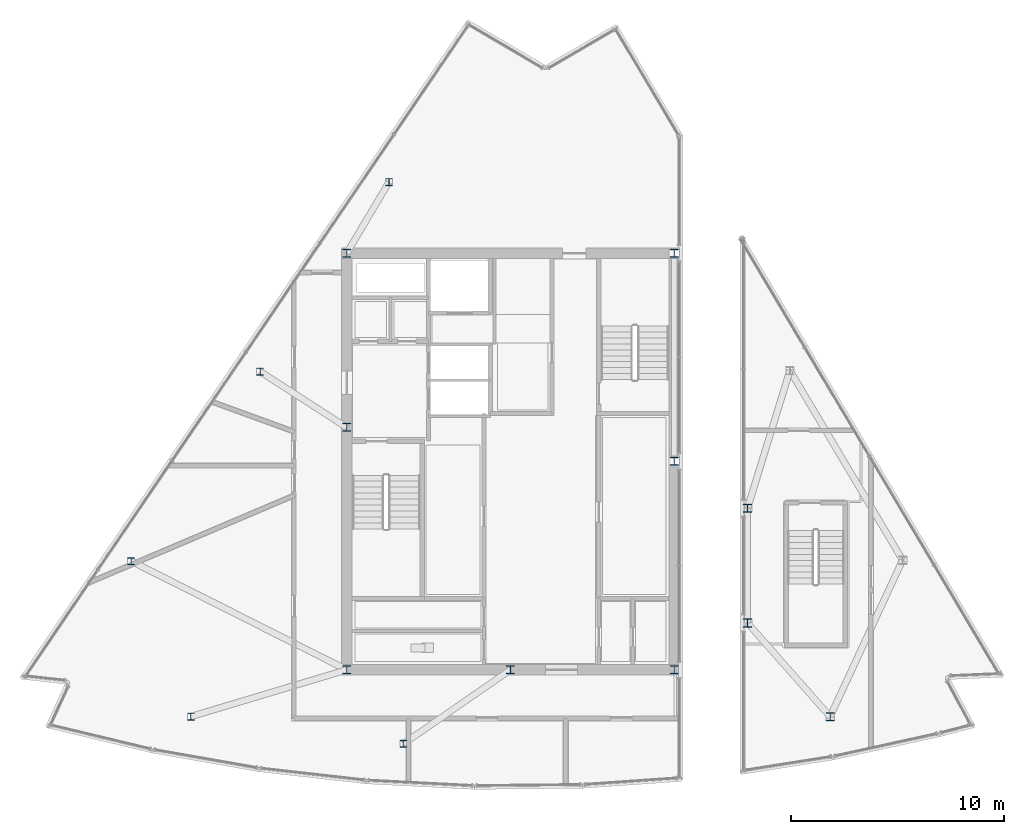
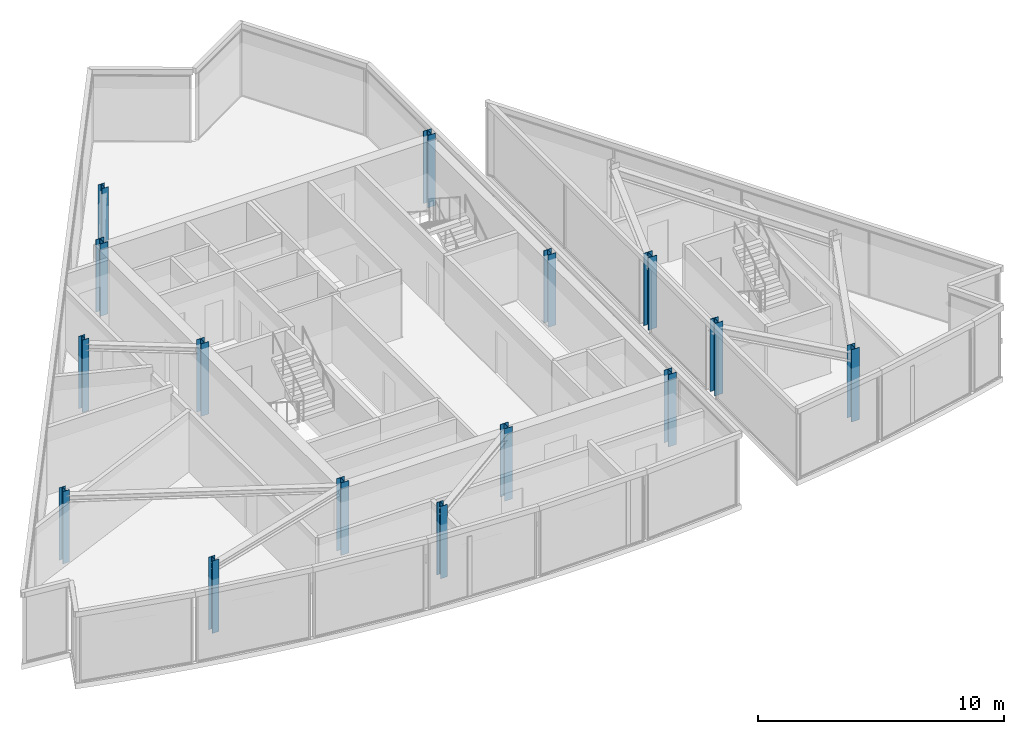
# One storey, part 1 of 15: 15 columns.
"""IFC4 building model written with IfcOpenShell, lengths in metres."""

from ifc_helpers import new_model, si_unit, direction, frame, origin, origin_2d, place, context, subcontext, project, spatial, i_section, extrude, material, material_profile, profile_set, type_object, element, save


model = new_model("IFC4")

# Units and contexts
model_context = context("Model", 3, precision=1e-05, world=origin(), true_north=direction((0.0, 1.0)))
body_context = subcontext(model_context, "Body", "Model", "MODEL_VIEW")
ifc_project = project(units=[si_unit("LENGTHUNIT", "METRE"), si_unit("AREAUNIT", "SQUARE_METRE"), si_unit("VOLUMEUNIT", "CUBIC_METRE"), si_unit("PLANEANGLEUNIT", "RADIAN"), si_unit("MASSUNIT", "GRAM", prefix="KILO")], contexts=[model_context])

# Site, building, storey
site_placement = place(None, origin())
site = spatial("IfcSite", under=ifc_project, at=site_placement, CompositionType="ELEMENT")
building_placement = place(site_placement, origin())
building = spatial("IfcBuilding", under=site, at=building_placement, Name="Savorim Split Tower", CompositionType="ELEMENT")
storey_placement = place(building_placement, frame((0.0, 0.0, 308.39990234375)))
storey = spatial("IfcBuildingStorey", under=building, at=storey_placement, Name="Crown L82 Plant", CompositionType="ELEMENT", Elevation=308.39990234375)

# Columns
ifc_material = material(Name="Steel S355", Category="steel")
ifc_material_profile_1 = material_profile(ifc_material, i_section(OverallWidth=0.30908203125, OverallDepth=0.330078125, WebThickness=0.011474609375, FlangeThickness=0.01904296875, FilletRadius=0.027099609375, at=origin_2d()), Name="HD 320x158")
ifc_profile_set_1 = profile_set([ifc_material_profile_1], Name="Steel S355")
column_type_1 = type_object("IfcColumnType", Name="COL-HD-158", PredefinedType="COLUMN", material=ifc_profile_set_1)
for number, where, z_axis, x_axis, name in (
    (1, (-15.037109375, -11.6015625, 0.0), (0.0, 0.0, 1.0), (1.0, 0.0, 0.0), "Crown L82 Plant West Crown Column WC-1"),
    (2, (-5.039794921875, -12.885009765625, 0.0), (0.0, 0.0, 1.0), (1.0, 0.0, 0.0), "Crown L82 Plant West Crown Column WC-2"),
    (3, (-17.84033203125, -4.288818359375, 0.0), (0.0, 0.0, 1.0), (1.0, 0.0, 0.0), "Crown L82 Plant West Crown Column WC-3"),
    (4, (-11.775390625, 4.626708984375, 0.0), (0.0, 0.0, 1.0), (1.0, 0.0, 0.0), "Crown L82 Plant West Crown Column WC-4"),
    (5, (-5.710205078125, 13.542236328125, 0.0), (0.0, 0.0, 1.0), (1.0, 0.0, 0.0), "Crown L82 Plant West Crown Column WC-5"),
):
    element("IfcColumn", number, at=place(storey_placement, frame(where, z_axis=z_axis, x_axis=x_axis)), inside=storey, type_object=column_type_1, Name=name, PredefinedType="COLUMN", context=body_context, shape_type="SweptSolid", body=[
        extrude(i_section(OverallWidth=0.30908203125, OverallDepth=0.330078125, WebThickness=0.011474609375, FlangeThickness=0.01904296875, FilletRadius=0.027099609375, at=origin_2d()), origin(), (0.0, 0.0, 1.0), 3.60009765625),
    ])
ifc_material_profile_2 = material_profile(ifc_material, i_section(OverallWidth=0.3740234375, OverallDepth=0.3720703125, WebThickness=0.01220703125, FlangeThickness=0.02001953125, FilletRadius=0.014892578125, at=origin_2d()), Name="HD 360x196")
ifc_profile_set_2 = profile_set([ifc_material_profile_2], Name="Steel S355")
column_type_2 = type_object("IfcColumnType", Name="COL-HD-196", PredefinedType="COLUMN", material=ifc_profile_set_2)
for number, where, z_axis, x_axis, name in (
    (6, (-7.699951171875, -9.39990234375, 0.0), (0.0, 0.0, 1.0), (1.0, 0.0, 0.0), "Crown L82 Plant Core Structural Column TC-C1"),
    (7, (7.699951171875, -9.39990234375, 0.0), (0.0, 0.0, 1.0), (1.0, 0.0, 0.0), "Crown L82 Plant Core Structural Column TC-C2"),
    (8, (7.699951171875, 10.199951171875, 0.0), (0.0, 0.0, 1.0), (1.0, 0.0, 0.0), "Crown L82 Plant Core Structural Column TC-C3"),
    (9, (-7.699951171875, 10.199951171875, 0.0), (0.0, 0.0, 1.0), (1.0, 0.0, 0.0), "Crown L82 Plant Core Structural Column TC-C4"),
    (10, (0.0, -9.39990234375, 0.0), (0.0, 0.0, 1.0), (1.0, 0.0, 0.0), "Crown L82 Plant Core Structural Column TC-C5"),
    (11, (7.699951171875, 0.39990234375, 0.0), (0.0, 0.0, 1.0), (1.0, 0.0, 0.0), "Crown L82 Plant Core Structural Column TC-C6"),
    (12, (-7.699951171875, 2.0, 0.0), (0.0, 0.0, 1.0), (1.0, 0.0, 0.0), "Crown L82 Plant Core Structural Column TC-C7"),
    (13, (15.037109375, -11.6015625, 0.0), (0.0, 0.0, 1.0), (1.0, 0.0, 0.0), "Crown L82 Plant East Crown Column EC-1"),
):
    element("IfcColumn", number, at=place(storey_placement, frame(where, z_axis=z_axis, x_axis=x_axis)), inside=storey, type_object=column_type_2, Name=name, PredefinedType="COLUMN", context=body_context, shape_type="SweptSolid", body=[
        extrude(i_section(OverallWidth=0.3740234375, OverallDepth=0.3720703125, WebThickness=0.01220703125, FlangeThickness=0.02001953125, FilletRadius=0.014892578125, at=origin_2d()), origin(), (0.0, 0.0, 1.0), 3.60009765625),
    ])
ifc_material_profile_3 = material_profile(ifc_material, i_section(OverallWidth=0.39794921875, OverallDepth=0.386962890625, WebThickness=0.013427734375, FlangeThickness=0.02197265625, FilletRadius=0.014892578125, at=origin_2d()), Name="HD 400x262")
ifc_profile_set_3 = profile_set([ifc_material_profile_3], Name="Steel S355")
column_type_3 = type_object("IfcColumnType", Name="COL-HD-262", PredefinedType="COLUMN", material=ifc_profile_set_3)
for number, where, z_axis, x_axis, name in (
    (14, (11.14990234375, -7.199951171875, 0.0), (0.0, 0.0, 1.0), (1.0, 0.0, 0.0), "Crown L82 Plant East Crown Slot Column ECS-1"),
    (15, (11.14990234375, -1.800048828125, 0.0), (0.0, 0.0, 1.0), (1.0, 0.0, 0.0), "Crown L82 Plant East Crown Slot Column ECS-2"),
):
    element("IfcColumn", number, at=place(storey_placement, frame(where, z_axis=z_axis, x_axis=x_axis)), inside=storey, type_object=column_type_3, Name=name, PredefinedType="COLUMN", context=body_context, shape_type="SweptSolid", body=[
        extrude(i_section(OverallWidth=0.39794921875, OverallDepth=0.386962890625, WebThickness=0.013427734375, FlangeThickness=0.02197265625, FilletRadius=0.014892578125, at=origin_2d()), origin(), (0.0, 0.0, 1.0), 3.60009765625),
    ])

save(model, "model.ifc")
